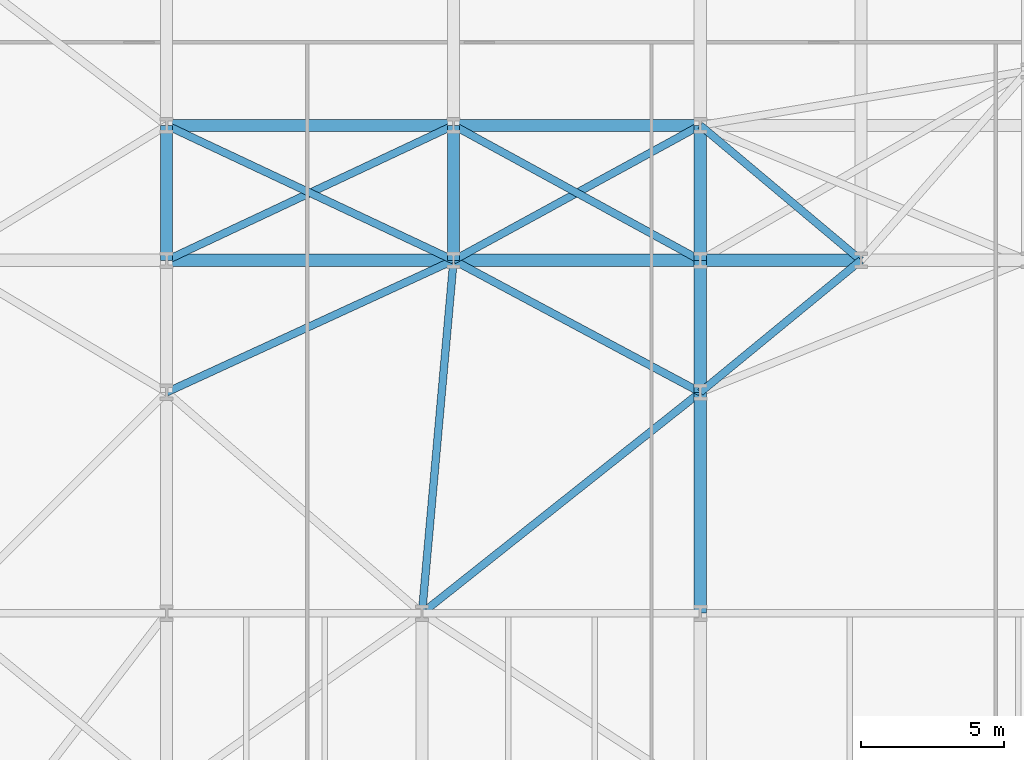
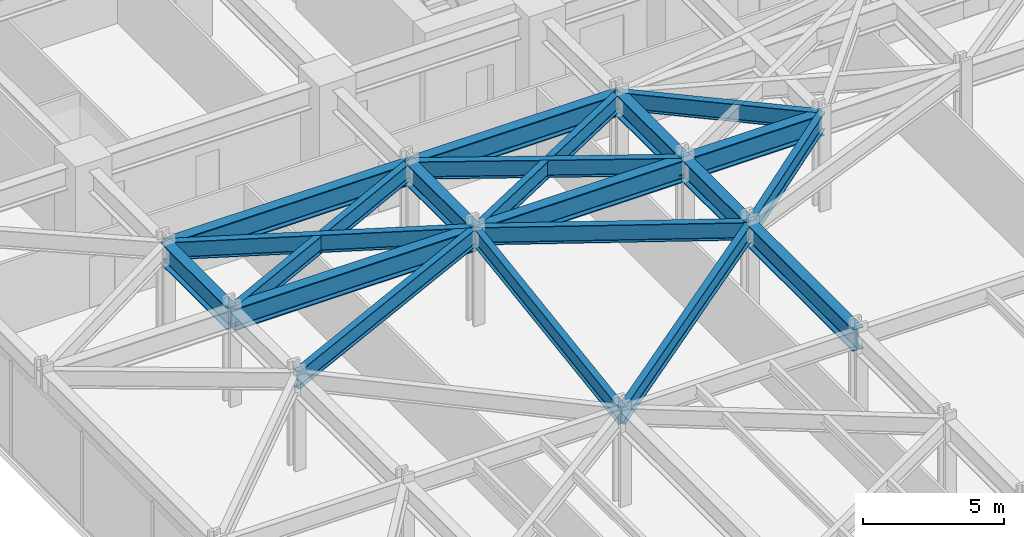
# One storey, part 11 of 30: 20 beams.
"""IFC4 building model written with IfcOpenShell, lengths in metres."""

from ifc_helpers import new_model, si_unit, direction, frame, origin, origin_2d, place, context, subcontext, project, spatial, i_section, extrude, material, material_profile, profile_set, type_object, element, save


model = new_model("IFC4")

# Units and contexts
model_context = context("Model", 3, precision=1e-05, world=origin(), true_north=direction((0.0, 1.0)))
body_context = subcontext(model_context, "Body", "Model", "MODEL_VIEW")
ifc_project = project(units=[si_unit("LENGTHUNIT", "METRE"), si_unit("AREAUNIT", "SQUARE_METRE"), si_unit("VOLUMEUNIT", "CUBIC_METRE"), si_unit("PLANEANGLEUNIT", "RADIAN"), si_unit("MASSUNIT", "GRAM", prefix="KILO")], contexts=[model_context])

# Site, building, storey
site_placement = place(None, origin())
site = spatial("IfcSite", under=ifc_project, at=site_placement, CompositionType="ELEMENT")
building_placement = place(site_placement, origin())
building = spatial("IfcBuilding", under=site, at=building_placement, Name="Kravanh Interchange Tower", CompositionType="ELEMENT")
storey_placement = place(building_placement, frame((0.0, 0.0, 19.800048828125)))
storey = spatial("IfcBuildingStorey", under=building, at=storey_placement, Name="L04", CompositionType="ELEMENT", Elevation=19.800048828125)

# Beams
ifc_material_1 = material(Name="Structural Steel S450", Category="steel")
ifc_material_profile_1 = material_profile(ifc_material_1, i_section(OverallWidth=0.423095703125, OverallDepth=0.947998046875, WebThickness=0.02392578125, FlangeThickness=0.042724609375, FilletRadius=0.028076171875, at=origin_2d()), Name="W36X302")
ifc_profile_set_1 = profile_set([ifc_material_profile_1], Name="Structural Steel S450")
beam_type_1 = type_object("IfcBeamType", Name="Floor Beam W36X302 Structural Steel S450", PredefinedType="BEAM", material=ifc_profile_set_1)
beam_1_placement = place(storey_placement, frame((27.199951171875, 14.5, 3.676025390625), z_axis=(0.0, 1.0, 0.0), x_axis=(-1.0, 0.0, 0.0)))
element("IfcBeam", 1, at=beam_1_placement, inside=storey, type_object=beam_type_1, Name="L04 Primary Floor Girder 45", PredefinedType="BEAM", context=body_context, shape_type="SweptSolid", body=[
    extrude(i_section(OverallWidth=0.423095703125, OverallDepth=0.947998046875, WebThickness=0.02392578125, FlangeThickness=0.042724609375, FilletRadius=0.028076171875, at=origin_2d()), origin(), (0.0, 0.0, 1.0), 7.699951171875),
])
beam_2_placement = place(storey_placement, frame((27.199951171875, 22.199951171875, 3.676025390625), z_axis=(0.0, 1.0, 0.0), x_axis=(-1.0, 0.0, 0.0)))
element("IfcBeam", 2, at=beam_2_placement, inside=storey, type_object=beam_type_1, Name="L04 Primary Floor Girder 61", PredefinedType="BEAM", context=body_context, shape_type="SweptSolid", body=[
    extrude(i_section(OverallWidth=0.423095703125, OverallDepth=0.947998046875, WebThickness=0.02392578125, FlangeThickness=0.042724609375, FilletRadius=0.028076171875, at=origin_2d()), origin(), (0.0, 0.0, 1.0), 4.60009765625),
])
beam_3_placement = place(storey_placement, frame((8.60009765625, 26.800048828125, 3.676025390625), z_axis=(0.0, 1.0, 0.0), x_axis=(-1.0, 0.0, 0.0)))
element("IfcBeam", 3, at=beam_3_placement, inside=storey, type_object=beam_type_1, Name="L04 Primary Floor Girder 73", PredefinedType="BEAM", context=body_context, shape_type="SweptSolid", body=[
    extrude(i_section(OverallWidth=0.423095703125, OverallDepth=0.947998046875, WebThickness=0.02392578125, FlangeThickness=0.042724609375, FilletRadius=0.028076171875, at=origin_2d()), origin(), (0.0, 0.0, 1.0), 4.699951171875),
])
beam_4_placement = place(storey_placement, frame((8.60009765625, 26.800048828125, 3.676025390625), z_axis=(1.0, 0.0, 0.0), x_axis=(0.0, 1.0, 0.0)))
element("IfcBeam", 4, at=beam_4_placement, inside=storey, type_object=beam_type_1, Name="L04 Primary Floor Girder 75", PredefinedType="BEAM", context=body_context, shape_type="SweptSolid", body=[
    extrude(i_section(OverallWidth=0.423095703125, OverallDepth=0.947998046875, WebThickness=0.02392578125, FlangeThickness=0.042724609375, FilletRadius=0.028076171875, at=origin_2d()), origin(), (0.0, 0.0, 1.0), 10.0),
])
beam_5_placement = place(storey_placement, frame((18.60009765625, 26.800048828125, 3.676025390625), z_axis=(0.0, 1.0, 0.0), x_axis=(-1.0, 0.0, 0.0)))
element("IfcBeam", 5, at=beam_5_placement, inside=storey, type_object=beam_type_1, Name="L04 Primary Floor Girder 77", PredefinedType="BEAM", context=body_context, shape_type="SweptSolid", body=[
    extrude(i_section(OverallWidth=0.423095703125, OverallDepth=0.947998046875, WebThickness=0.02392578125, FlangeThickness=0.042724609375, FilletRadius=0.028076171875, at=origin_2d()), origin(), (0.0, 0.0, 1.0), 4.699951171875),
])
beam_6_placement = place(storey_placement, frame((18.60009765625, 26.800048828125, 3.676025390625), z_axis=(1.0, 0.0, 0.0), x_axis=(0.0, 1.0, 0.0)))
element("IfcBeam", 6, at=beam_6_placement, inside=storey, type_object=beam_type_1, Name="L04 Primary Floor Girder 78", PredefinedType="BEAM", context=body_context, shape_type="SweptSolid", body=[
    extrude(i_section(OverallWidth=0.423095703125, OverallDepth=0.947998046875, WebThickness=0.02392578125, FlangeThickness=0.042724609375, FilletRadius=0.028076171875, at=origin_2d()), origin(), (0.0, 0.0, 1.0), 8.599853515625),
])
beam_7_placement = place(storey_placement, frame((27.199951171875, 26.800048828125, 3.676025390625), z_axis=(0.0, 1.0, 0.0), x_axis=(-1.0, 0.0, 0.0)))
element("IfcBeam", 7, at=beam_7_placement, inside=storey, type_object=beam_type_1, Name="L04 Primary Floor Girder 81", PredefinedType="BEAM", context=body_context, shape_type="SweptSolid", body=[
    extrude(i_section(OverallWidth=0.423095703125, OverallDepth=0.947998046875, WebThickness=0.02392578125, FlangeThickness=0.042724609375, FilletRadius=0.028076171875, at=origin_2d()), origin(), (0.0, 0.0, 1.0), 4.699951171875),
])
beam_8_placement = place(storey_placement, frame((27.199951171875, 26.800048828125, 3.676025390625), z_axis=(1.0, 0.0, 0.0), x_axis=(0.0, 1.0, 0.0)))
element("IfcBeam", 8, at=beam_8_placement, inside=storey, type_object=beam_type_1, Name="L04 Primary Floor Girder 82", PredefinedType="BEAM", context=body_context, shape_type="SweptSolid", body=[
    extrude(i_section(OverallWidth=0.423095703125, OverallDepth=0.947998046875, WebThickness=0.02392578125, FlangeThickness=0.042724609375, FilletRadius=0.028076171875, at=origin_2d()), origin(), (0.0, 0.0, 1.0), 5.60009765625),
])
beam_9_placement = place(storey_placement, frame((8.60009765625, 31.5, 3.676025390625), z_axis=(1.0, 0.0, 0.0), x_axis=(0.0, 1.0, 0.0)))
element("IfcBeam", 9, at=beam_9_placement, inside=storey, type_object=beam_type_1, Name="L04 Primary Floor Girder 107", PredefinedType="BEAM", context=body_context, shape_type="SweptSolid", body=[
    extrude(i_section(OverallWidth=0.423095703125, OverallDepth=0.947998046875, WebThickness=0.02392578125, FlangeThickness=0.042724609375, FilletRadius=0.028076171875, at=origin_2d()), origin(), (0.0, 0.0, 1.0), 10.0),
])
beam_10_placement = place(storey_placement, frame((18.60009765625, 31.5, 3.676025390625), z_axis=(1.0, 0.0, 0.0), x_axis=(0.0, 1.0, 0.0)))
element("IfcBeam", 10, at=beam_10_placement, inside=storey, type_object=beam_type_1, Name="L04 Primary Floor Girder 109", PredefinedType="BEAM", context=body_context, shape_type="SweptSolid", body=[
    extrude(i_section(OverallWidth=0.423095703125, OverallDepth=0.947998046875, WebThickness=0.02392578125, FlangeThickness=0.042724609375, FilletRadius=0.028076171875, at=origin_2d()), origin(), (0.0, 0.0, 1.0), 8.599853515625),
])
ifc_material_2 = material(Name="Structural Steel S355", Category="steel")
ifc_material_profile_2 = material_profile(ifc_material_2, i_section(OverallWidth=0.26708984375, OverallDepth=0.761962890625, WebThickness=0.014404296875, FlangeThickness=0.021484375, FilletRadius=0.02490234375, at=origin_2d()), Name="W30X116")
ifc_profile_set_2 = profile_set([ifc_material_profile_2], Name="Structural Steel S355")
beam_type_2 = type_object("IfcBeamType", Name="Floor Spandrel W30X116 Structural Steel S355", PredefinedType="SPANDREL", material=ifc_profile_set_2)
beam_11_placement = place(storey_placement, frame((17.5, 14.5, 3.76904296875), z_axis=(0.089082890706, 0.996024215862, 0.0), x_axis=(-0.996024215862, 0.089082890706, 0.0)))
element("IfcBeam", 11, at=beam_11_placement, inside=storey, type_object=beam_type_2, Name="L04 Perimeter Spandrel 43", PredefinedType="SPANDREL", context=body_context, shape_type="SweptSolid", body=[
    extrude(i_section(OverallWidth=0.26708984375, OverallDepth=0.761962890625, WebThickness=0.014404296875, FlangeThickness=0.021484375, FilletRadius=0.02490234375, at=origin_2d()), origin(), (0.0, 0.0, 1.0), 12.34912109375),
])
beam_12_placement = place(storey_placement, frame((17.5, 14.5, 3.76904296875), z_axis=(0.78322688578, 0.621735993321, 0.0), x_axis=(-0.621735993321, 0.78322688578, 0.0)))
element("IfcBeam", 12, at=beam_12_placement, inside=storey, type_object=beam_type_2, Name="L04 Perimeter Spandrel 44", PredefinedType="SPANDREL", context=body_context, shape_type="SweptSolid", body=[
    extrude(i_section(OverallWidth=0.26708984375, OverallDepth=0.761962890625, WebThickness=0.014404296875, FlangeThickness=0.021484375, FilletRadius=0.02490234375, at=origin_2d()), origin(), (0.0, 0.0, 1.0), 12.384521484375),
])
beam_13_placement = place(storey_placement, frame((8.60009765625, 22.199951171875, 3.76904296875), z_axis=(0.908487084298, 0.417912930721, 0.0), x_axis=(-0.417912930721, 0.908487084298, 0.0)))
element("IfcBeam", 13, at=beam_13_placement, inside=storey, type_object=beam_type_2, Name="L04 Perimeter Spandrel 60", PredefinedType="SPANDREL", context=body_context, shape_type="SweptSolid", body=[
    extrude(i_section(OverallWidth=0.26708984375, OverallDepth=0.761962890625, WebThickness=0.014404296875, FlangeThickness=0.021484375, FilletRadius=0.02490234375, at=origin_2d()), origin(), (0.0, 0.0, 1.0), 11.00732421875),
])
beam_14_placement = place(storey_placement, frame((27.199951171875, 22.199951171875, 3.76904296875), z_axis=(0.772725074305, 0.634740860147, 0.0), x_axis=(-0.634740860147, 0.772725074305, 0.0)))
element("IfcBeam", 14, at=beam_14_placement, inside=storey, type_object=beam_type_2, Name="L04 Perimeter Spandrel 62", PredefinedType="SPANDREL", context=body_context, shape_type="SweptSolid", body=[
    extrude(i_section(OverallWidth=0.26708984375, OverallDepth=0.761962890625, WebThickness=0.014404296875, FlangeThickness=0.021484375, FilletRadius=0.02490234375, at=origin_2d()), origin(), (0.0, 0.0, 1.0), 7.247314453125),
])
beam_15_placement = place(storey_placement, frame((27.199951171875, 22.199951171875, 3.76904296875), z_axis=(-0.881777136221, 0.471666282489, 0.0), x_axis=(-0.471666282489, -0.881777136221, 0.0)))
element("IfcBeam", 15, at=beam_15_placement, inside=storey, type_object=beam_type_2, Name="L04 Perimeter Spandrel 63", PredefinedType="SPANDREL", context=body_context, shape_type="SweptSolid", body=[
    extrude(i_section(OverallWidth=0.26708984375, OverallDepth=0.761962890625, WebThickness=0.014404296875, FlangeThickness=0.021484375, FilletRadius=0.02490234375, at=origin_2d()), origin(), (0.0, 0.0, 1.0), 9.7529296875),
])
beam_16_placement = place(storey_placement, frame((8.60009765625, 26.800048828125, 3.76904296875), z_axis=(0.905025402916, 0.425357520301, 0.0), x_axis=(-0.425357520301, 0.905025402916, 0.0)))
element("IfcBeam", 16, at=beam_16_placement, inside=storey, type_object=beam_type_2, Name="L04 Perimeter Spandrel 76", PredefinedType="SPANDREL", context=body_context, shape_type="SweptSolid", body=[
    extrude(i_section(OverallWidth=0.26708984375, OverallDepth=0.761962890625, WebThickness=0.014404296875, FlangeThickness=0.021484375, FilletRadius=0.02490234375, at=origin_2d()), origin(), (0.0, 0.0, 1.0), 11.04931640625),
])
beam_17_placement = place(storey_placement, frame((18.60009765625, 26.800048828125, 3.76904296875), z_axis=(0.877503996342, 0.479569323877, 0.0), x_axis=(-0.479569323877, 0.877503996342, 0.0)))
element("IfcBeam", 17, at=beam_17_placement, inside=storey, type_object=beam_type_2, Name="L04 Perimeter Spandrel 79", PredefinedType="SPANDREL", context=body_context, shape_type="SweptSolid", body=[
    extrude(i_section(OverallWidth=0.26708984375, OverallDepth=0.761962890625, WebThickness=0.014404296875, FlangeThickness=0.021484375, FilletRadius=0.02490234375, at=origin_2d()), origin(), (0.0, 0.0, 1.0), 9.80029296875),
])
beam_18_placement = place(storey_placement, frame((18.60009765625, 26.800048828125, 3.76904296875), z_axis=(-0.905025402916, 0.425357520301, 0.0), x_axis=(-0.425357520301, -0.905025402916, 0.0)))
element("IfcBeam", 18, at=beam_18_placement, inside=storey, type_object=beam_type_2, Name="L04 Perimeter Spandrel 80", PredefinedType="SPANDREL", context=body_context, shape_type="SweptSolid", body=[
    extrude(i_section(OverallWidth=0.26708984375, OverallDepth=0.761962890625, WebThickness=0.014404296875, FlangeThickness=0.021484375, FilletRadius=0.02490234375, at=origin_2d()), origin(), (0.0, 0.0, 1.0), 11.04931640625),
])
beam_19_placement = place(storey_placement, frame((27.199951171875, 26.800048828125, 3.76904296875), z_axis=(-0.877503996342, 0.479569323877, 0.0), x_axis=(-0.479569323877, -0.877503996342, 0.0)))
element("IfcBeam", 19, at=beam_19_placement, inside=storey, type_object=beam_type_2, Name="L04 Perimeter Spandrel 83", PredefinedType="SPANDREL", context=body_context, shape_type="SweptSolid", body=[
    extrude(i_section(OverallWidth=0.26708984375, OverallDepth=0.761962890625, WebThickness=0.014404296875, FlangeThickness=0.021484375, FilletRadius=0.02490234375, at=origin_2d()), origin(), (0.0, 0.0, 1.0), 9.80029296875),
])
beam_20_placement = place(storey_placement, frame((32.800048828125, 26.800048828125, 3.76904296875), z_axis=(-0.765983062929, 0.642860752657, 0.0), x_axis=(-0.642860752657, -0.765983062929, 0.0)))
element("IfcBeam", 20, at=beam_20_placement, inside=storey, type_object=beam_type_2, Name="L04 Perimeter Spandrel 86", PredefinedType="SPANDREL", context=body_context, shape_type="SweptSolid", body=[
    extrude(i_section(OverallWidth=0.26708984375, OverallDepth=0.761962890625, WebThickness=0.014404296875, FlangeThickness=0.021484375, FilletRadius=0.02490234375, at=origin_2d()), origin(), (0.0, 0.0, 1.0), 7.31103515625),
])

save(model, "model.ifc")
